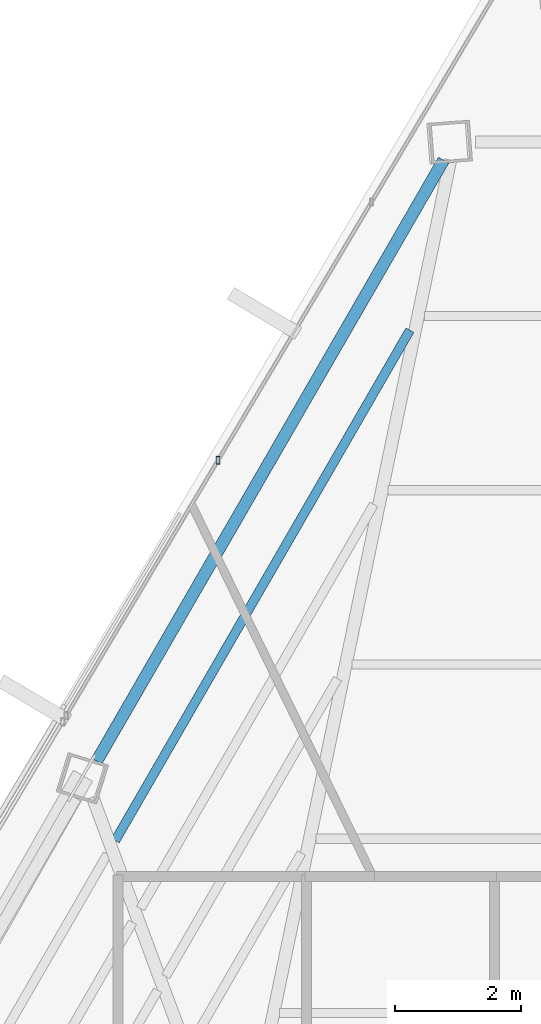
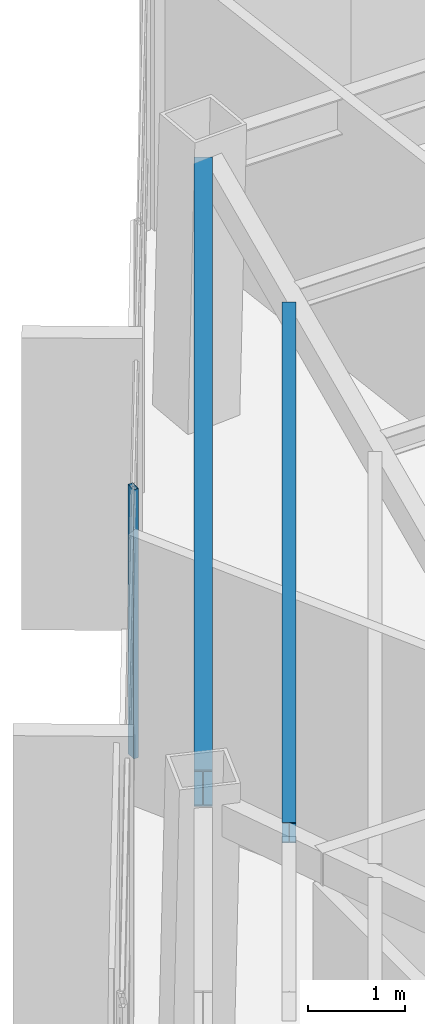
# One storey, part 29 of 42: 2 beams, 1 member, 1 element without a shape of its own.
"""IFC4 building model written with IfcOpenShell, lengths in metres."""

from ifc_helpers import new_model, si_unit, direction, frame, origin, origin_2d, place, context, subcontext, project, spatial, hollow_rectangle, i_section, extrude, source, transform, mapped, material, material_profile, profile_set, type_object, type_shapes, element, aggregate, save


model = new_model("IFC4")

# Units and contexts
model_context = context("Model", 3, precision=1e-05, world=origin(), true_north=direction((0.0, 1.0)))
body_context = subcontext(model_context, "Body", "Model", "MODEL_VIEW")
ifc_project = project(units=[si_unit("LENGTHUNIT", "METRE"), si_unit("AREAUNIT", "SQUARE_METRE"), si_unit("VOLUMEUNIT", "CUBIC_METRE"), si_unit("PLANEANGLEUNIT", "RADIAN"), si_unit("MASSUNIT", "GRAM", prefix="KILO")], contexts=[model_context])

# Site, building, storey
site_placement = place(None, origin())
site = spatial("IfcSite", under=ifc_project, at=site_placement, CompositionType="ELEMENT")
building_placement = place(site_placement, origin())
building = spatial("IfcBuilding", under=site, at=building_placement, Name="Caelisora Broadcast Tower", CompositionType="ELEMENT")
storey_placement = place(building_placement, frame((0.0, 0.0, 244.449951171875)))
storey = spatial("IfcBuildingStorey", under=building, at=storey_placement, Name="L64", CompositionType="ELEMENT", Elevation=244.449951171875)

# Beams
ifc_material_1 = material(Name="Steel Grade 350 (AS/NZS 3679.1)", Category="steel")
ifc_material_profile_1 = material_profile(ifc_material_1, i_section(OverallWidth=0.19091796875, OverallDepth=0.46044921875, WebThickness=0.010009765625, FlangeThickness=0.01611328125, at=origin_2d()), Name="Steel Grade 350 (AS/NZS 3679.1)")
ifc_profile_set_1 = profile_set([ifc_material_profile_1], Name="Steel Grade 350 (AS/NZS 3679.1)")
beam_type_1 = type_object("IfcBeamType", Name="PG06", PredefinedType="BEAM", material=ifc_profile_set_1)
shared_shape_1 = source(origin(), body_context, "Body", "SweptSolid", [
    extrude(i_section(OverallWidth=0.19091796875, OverallDepth=0.46044921875, WebThickness=0.010009765625, FlangeThickness=0.01611328125, at=origin_2d()), origin(), (0.0, 0.0, 1.0), 11.05859375),
])
type_shapes(beam_type_1, [shared_shape_1])
beam_1_placement = place(storey_placement, frame((33.78662109375, 46.367431640625, 3.169921875), z_axis=(-0.499995092988, -0.866028236831, 0.0), x_axis=(0.866028236831, -0.499995092988, 0.0)))
element("IfcBeam", 1, at=beam_1_placement, inside=storey, type_object=beam_type_1, Name="L64 beam PG06", PredefinedType="BEAM", context=body_context, shape_type="MappedRepresentation", body=[
    mapped(shared_shape_1, transform((0.0, 0.0, 0.0), scale=1.0)),
])
ifc_material_profile_2 = material_profile(ifc_material_1, i_section(OverallWidth=0.14599609375, OverallDepth=0.256103515625, WebThickness=0.00634765625, FlangeThickness=0.010986328125, at=origin_2d()), Name="Steel Grade 350 (AS/NZS 3679.1)")
ifc_profile_set_2 = profile_set([ifc_material_profile_2], Name="Steel Grade 350 (AS/NZS 3679.1)")
beam_type_2 = type_object("IfcBeamType", Name="SB04", PredefinedType="JOIST", material=ifc_profile_set_2)
shared_shape_2 = source(origin(), body_context, "Body", "SweptSolid", [
    extrude(i_section(OverallWidth=0.14599609375, OverallDepth=0.256103515625, WebThickness=0.00634765625, FlangeThickness=0.010986328125, at=origin_2d()), origin(), (0.0, 0.0, 1.0), 9.39208984375),
])
type_shapes(beam_type_2, [shared_shape_2])
beam_2_placement = place(storey_placement, frame((33.249755859375, 43.658203125, 3.27197265625), z_axis=(-0.499999969424, -0.866025421437, 0.0), x_axis=(0.866025421437, -0.499999969424, 0.0)))
element("IfcBeam", 2, at=beam_2_placement, inside=storey, type_object=beam_type_2, Name="L64 beam SB04", PredefinedType="JOIST", context=body_context, shape_type="MappedRepresentation", body=[
    mapped(shared_shape_2, transform((0.0, 0.0, 0.0), scale=1.0)),
])

# Curtain wall, member
ifc_material_2 = material(Name="Unitised Aluminium and Low-E Glass Curtain Wall", Category="glass")
curtain_wall_type = type_object("IfcCurtainWallType", Name="CW-Z5", PredefinedType="NOTDEFINED", material=ifc_material_2)
curtain_wall_placement = place(storey_placement, origin())
curtain_wall = element("IfcCurtainWall", 3, at=curtain_wall_placement, inside=storey, type_object=curtain_wall_type, Name="L64 curtain wall CW-Z5", PredefinedType="NOTDEFINED")
ifc_material_3 = material(Name="Aluminium 6063-T6 Anodised Terracotta Bronze", Category="aluminium")
ifc_material_profile_3 = material_profile(ifc_material_3, hollow_rectangle(XDim=0.06005859375, YDim=0.1201171875, WallThickness=0.0029296875, at=origin_2d()), Name="Aluminium 6063-T6 Anodised Terracotta Bronze")
ifc_profile_set_3 = profile_set([ifc_material_profile_3], Name="Aluminium 6063-T6 Anodised Terracotta Bronze")
member_type = type_object("IfcMemberType", Name="CWM-04", PredefinedType="MULLION", material=ifc_profile_set_3)
shared_shape_3 = source(origin(), body_context, "Body", "SweptSolid", [
    extrude(hollow_rectangle(XDim=0.06005859375, YDim=0.1201171875, WallThickness=0.0029296875, at=origin_2d()), origin(), (0.0, 0.0, 1.0), 3.400146484375),
])
type_shapes(member_type, [shared_shape_3])
member_placement = place(storey_placement, frame((30.191162109375, 41.584716796875, 0.0), z_axis=(0.0, 0.0, 1.0), x_axis=(1.0, 0.0, 0.0)))
member = element("IfcMember", 4, at=member_placement, type_object=member_type, Name="L64-CW-B11 mullion #1", PredefinedType="MULLION", context=body_context, shape_type="MappedRepresentation", body=[
    mapped(shared_shape_3, transform((0.0, 0.0, 0.0), scale=1.0)),
])
aggregate(curtain_wall, [member])

save(model, "model.ifc")
